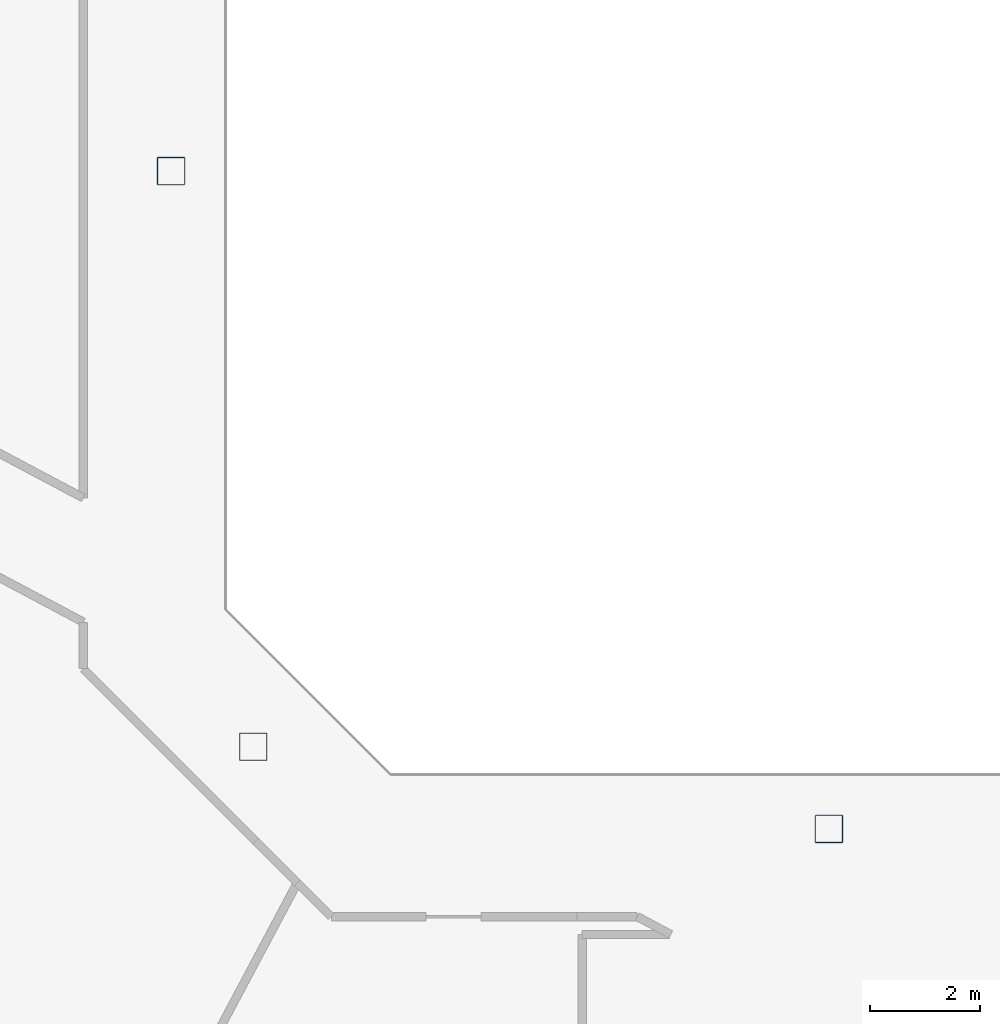
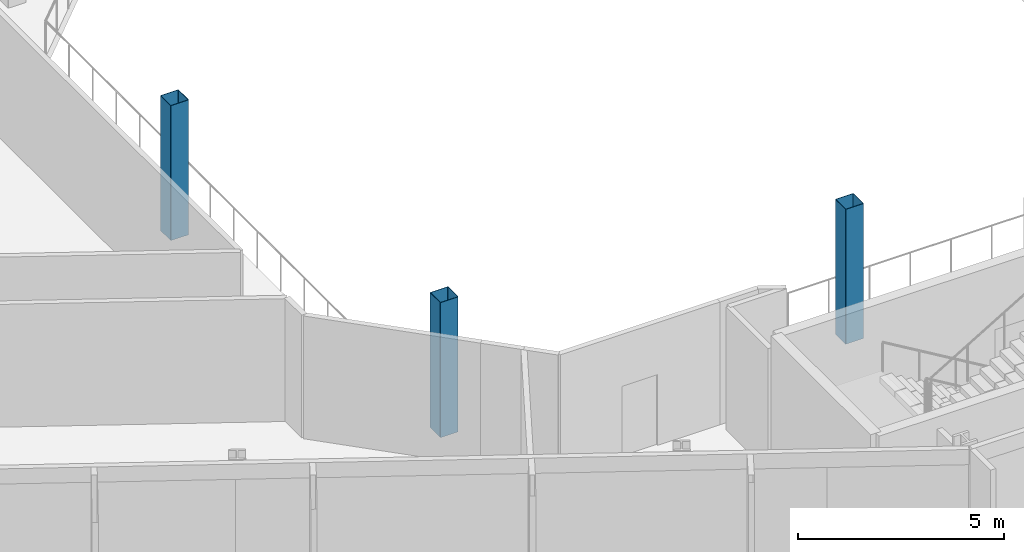
# One storey, part 2 of 28: 3 columns.
"""IFC4 building model written with IfcOpenShell, lengths in metres."""

from ifc_helpers import new_model, si_unit, direction, frame, origin, origin_2d, place, context, subcontext, project, spatial, hollow_rectangle, extrude, material, material_profile, profile_set, type_object, element, save


model = new_model("IFC4")

# Units and contexts
model_context = context("Model", 3, precision=1e-05, world=origin(), true_north=direction((0.0, 1.0)))
body_context = subcontext(model_context, "Body", "Model", "MODEL_VIEW")
ifc_project = project(units=[si_unit("LENGTHUNIT", "METRE"), si_unit("AREAUNIT", "SQUARE_METRE"), si_unit("VOLUMEUNIT", "CUBIC_METRE"), si_unit("PLANEANGLEUNIT", "RADIAN"), si_unit("MASSUNIT", "GRAM", prefix="KILO")], contexts=[model_context])

# Site, building, storey
site_placement = place(None, origin())
site = spatial("IfcSite", under=ifc_project, at=site_placement, CompositionType="ELEMENT")
building_placement = place(site_placement, origin())
building = spatial("IfcBuilding", under=site, at=building_placement, Name="Cormorant Relay Tower", CompositionType="ELEMENT")
storey_placement = place(building_placement, frame((0.0, 0.0, 166.199951171875)))
storey = spatial("IfcBuildingStorey", under=building, at=storey_placement, Name="L35", CompositionType="ELEMENT", Elevation=166.199951171875)

# Columns
ifc_material = material(Name="Steel ASTM A500 Grade C (Fy 345 MPa)", Category="steel")
ifc_material_profile = material_profile(ifc_material, hollow_rectangle(XDim=0.508056640625, YDim=0.508056640625, WallThickness=0.01171875, InnerFilletRadius=0.005859375, OuterFilletRadius=0.017822265625, at=origin_2d()), Name="HSS508x508x12")
ifc_profile_set = profile_set([ifc_material_profile], Name="Steel ASTM A500 Grade C (Fy 345 MPa)")
column_type = type_object("IfcColumnType", Name="Column HSS508x508x12", PredefinedType="COLUMN", material=ifc_profile_set)
for number, where, z_axis, x_axis, name in (
    (1, (0.0, -12.0, 0.0), (0.0, 0.0, 1.0), (1.0, 0.0, 0.0), "Column L35-007"),
    (2, (-10.5, -10.5, 0.0), (0.0, 0.0, 1.0), (1.0, 0.0, 0.0), "Column L35-009"),
    (3, (-12.0, 0.0, 0.0), (0.0, 0.0, 1.0), (1.0, 0.0, 0.0), "Column L35-015"),
):
    element("IfcColumn", number, at=place(storey_placement, frame(where, z_axis=z_axis, x_axis=x_axis)), inside=storey, type_object=column_type, Name=name, PredefinedType="COLUMN", context=body_context, shape_type="SweptSolid", body=[
        extrude(hollow_rectangle(XDim=0.508056640625, YDim=0.508056640625, WallThickness=0.01171875, InnerFilletRadius=0.005859375, OuterFilletRadius=0.017822265625, at=origin_2d()), origin(), (0.0, 0.0, 1.0), 4.0),
    ])

save(model, "model.ifc")
